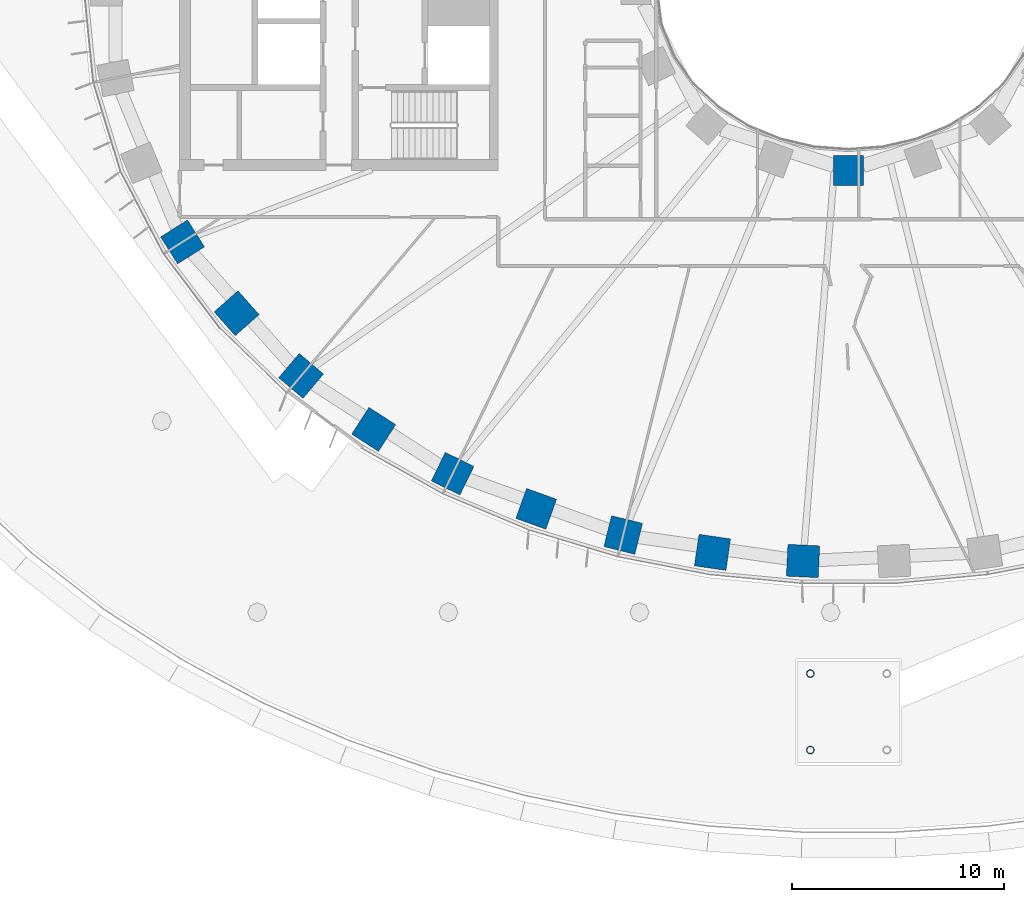
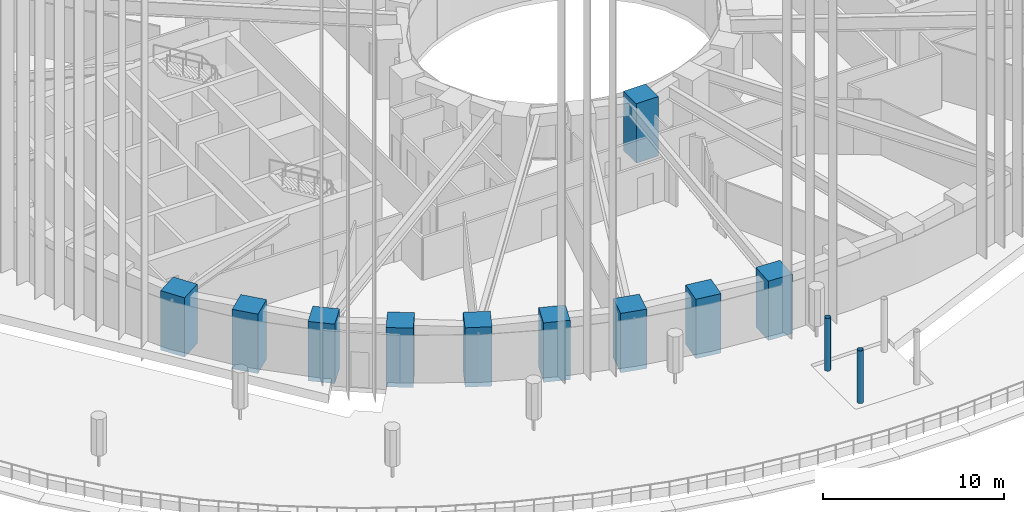
# One storey, part 1 of 30: 12 columns.
"""IFC4 building model written with IfcOpenShell, lengths in metres."""

from ifc_helpers import new_model, si_unit, direction, frame, origin, origin_2d, place, context, subcontext, project, spatial, rectangle, hollow_circle, extrude, material, material_profile, profile_set, type_object, element, save


model = new_model("IFC4")

# Units and contexts
model_context = context("Model", 3, precision=1e-05, world=origin(), true_north=direction((0.0, 1.0)))
body_context = subcontext(model_context, "Body", "Model", "MODEL_VIEW")
ifc_project = project(units=[si_unit("LENGTHUNIT", "METRE"), si_unit("AREAUNIT", "SQUARE_METRE"), si_unit("VOLUMEUNIT", "CUBIC_METRE"), si_unit("PLANEANGLEUNIT", "RADIAN"), si_unit("MASSUNIT", "GRAM", prefix="KILO")], contexts=[model_context])

# Site, building, storey
site_placement = place(None, origin())
site = spatial("IfcSite", under=ifc_project, at=site_placement, CompositionType="ELEMENT")
building_placement = place(site_placement, origin())
building = spatial("IfcBuilding", under=site, at=building_placement, Name="Noorbagh Ring Tower", CompositionType="ELEMENT")
storey_placement = place(building_placement, frame((0.0, 0.0, 30.5)))
storey = spatial("IfcBuildingStorey", under=building, at=storey_placement, Name="L05", CompositionType="ELEMENT", Elevation=30.5)

# Columns
ifc_material_1 = material(Name="Steel S355", Category="steel")
ifc_material_profile_1 = material_profile(ifc_material_1, hollow_circle(Radius=0.177734375, WallThickness=0.01611328125, at=origin_2d()), Name="CHS355.6x16")
ifc_profile_set_1 = profile_set([ifc_material_profile_1], Name="Steel S355")
column_type_1 = type_object("IfcColumnType", Name="GND-CHHATRI-COL", PredefinedType="COLUMN", material=ifc_profile_set_1)
for number, where, z_axis, x_axis, name in (
    (1, (-1.800048828125, -35.800048828125, 0.449951171875), (0.0, 0.0, 1.0), (1.0, 0.0, 0.0), "Chhatri 4 column"),
    (2, (-1.800048828125, -32.199951171875, 0.449951171875), (0.0, 0.0, 1.0), (1.0, 0.0, 0.0), "Chhatri 4 column"),
):
    element("IfcColumn", number, at=place(storey_placement, frame(where, z_axis=z_axis, x_axis=x_axis)), inside=storey, type_object=column_type_1, Name=name, PredefinedType="COLUMN", context=body_context, shape_type="SweptSolid", body=[
        extrude(hollow_circle(Radius=0.177734375, WallThickness=0.01611328125, at=origin_2d()), origin(), (0.0, 0.0, 1.0), 3.550048828125),
    ])
ifc_material_2 = material(Name="Concrete C70/85", Category="concrete")
ifc_material_profile_2 = material_profile(ifc_material_2, rectangle(XDim=1.5, YDim=1.5, at=origin_2d()), Name="RC1500x1500")
ifc_profile_set_2 = profile_set([ifc_material_profile_2], Name="Concrete C70/85")
column_type_2 = type_object("IfcColumnType", Name="STR-COL-RC1500x1500-C70-85", PredefinedType="COLUMN", material=ifc_profile_set_2)
for number, where, z_axis, x_axis, name in (
    (3, (-31.364990234375, -11.87109375, 0.0), (0.0, 0.0, 1.0), (0.535190403059, -0.844731455833, 0.0), "L05/col/R1-27"),
    (4, (-28.81884765625, -15.23046875, 0.0), (0.0, 0.0, 1.0), (0.662635642662, -0.748941923699, 0.0), "L05/col/R1-28"),
    (5, (-25.78271484375, -18.180419921875, 0.0), (0.0, 0.0, 1.0), (0.763035199656, -0.646356932419, 0.0), "L05/col/R1-29"),
    (6, (-22.362060546875, -20.699951171875, 0.0), (0.0, 0.0, 1.0), (0.840247639643, -0.542202825586, 0.0), "L05/col/R1-30"),
    (7, (-18.646240234375, -22.785400390625, 0.0), (0.0, 0.0, 1.0), (0.898399080868, -0.439180021741, 0.0), "L05/col/R1-31"),
    (8, (-14.70947265625, -24.44091796875, 0.0), (0.0, 0.0, 1.0), (0.941024726094, -0.338337797003, 0.0), "L05/col/R1-32"),
    (9, (-10.61328125, -25.673583984375, 0.0), (0.0, 0.0, 1.0), (0.970829360981, -0.239771457553, 0.0), "L05/col/R1-33"),
    (10, (-6.4091796875, -26.49072265625, 0.0), (0.0, 0.0, 1.0), (0.989713114048, -0.143066249975, 0.0), "L05/col/R1-34"),
    (11, (-2.14306640625, -26.89794921875, 0.0), (0.0, 0.0, 1.0), (0.998868731212, -0.047552684538, 0.0), "L05/col/R1-35"),
):
    element("IfcColumn", number, at=place(storey_placement, frame(where, z_axis=z_axis, x_axis=x_axis)), inside=storey, type_object=column_type_2, Name=name, PredefinedType="COLUMN", context=body_context, shape_type="SweptSolid", body=[
        extrude(rectangle(XDim=1.5, YDim=1.5, at=origin_2d()), origin(), (0.0, 0.0, 1.0), 4.0),
    ])
ifc_material_3 = material(Name="Concrete C70/85", Category="concrete")
ifc_material_profile_3 = material_profile(ifc_material_3, rectangle(XDim=1.39990234375, YDim=1.39990234375, at=origin_2d()), Name="RC1400x1400")
ifc_profile_set_3 = profile_set([ifc_material_profile_3], Name="Concrete C70/85")
column_type_3 = type_object("IfcColumnType", Name="STR-ICOL-RC1400x1400-C70-85", PredefinedType="COLUMN", material=ifc_profile_set_3)
column_placement = place(storey_placement, frame((0.0, -8.5029296875, 0.0), z_axis=(0.0, 0.0, 1.0), x_axis=(1.0, 0.0, 0.0)))
element("IfcColumn", 12, at=column_placement, inside=storey, type_object=column_type_3, Name="L05/col/IR2-W25", PredefinedType="COLUMN", context=body_context, shape_type="SweptSolid", body=[
    extrude(rectangle(XDim=1.39990234375, YDim=1.39990234375, at=origin_2d()), origin(), (0.0, 0.0, 1.0), 4.0),
])

save(model, "model.ifc")
